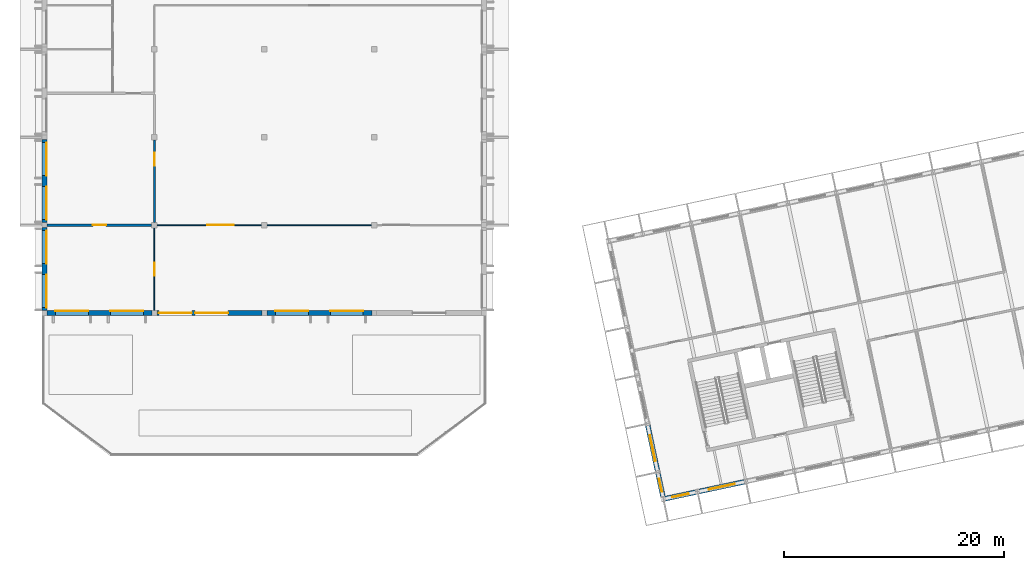
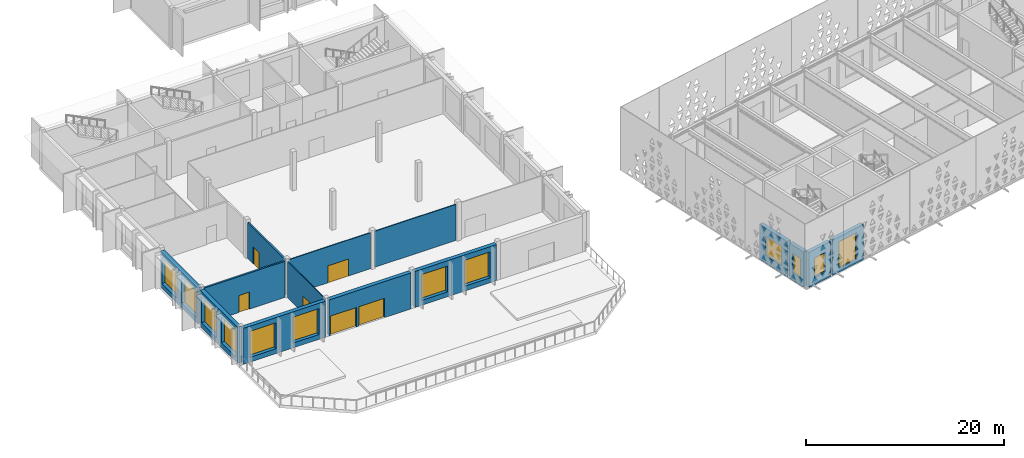
# One storey, part 113 of 196: 14 walls, 12 windows, 6 doors, 18 openings.
"""IFC4 building model written with IfcOpenShell, lengths in metres."""

from ifc_helpers import new_model, si_unit, direction, frame, frame_2d, origin, place, context, subcontext, project, spatial, rectangle, extrude, material, layer, layer_set, type_object, element, fill, save


model = new_model("IFC4")

# Units and contexts
model_context = context("Model", 3, precision=1e-05, world=origin(), true_north=direction((0.0, 1.0)))
body_context = subcontext(model_context, "Body", "Model", "MODEL_VIEW")
ifc_project = project(units=[si_unit("LENGTHUNIT", "METRE"), si_unit("AREAUNIT", "SQUARE_METRE"), si_unit("VOLUMEUNIT", "CUBIC_METRE"), si_unit("PLANEANGLEUNIT", "RADIAN"), si_unit("MASSUNIT", "GRAM", prefix="KILO")], contexts=[model_context])

# Site, building, storey
site_placement = place(None, origin())
site = spatial("IfcSite", under=ifc_project, at=site_placement, CompositionType="ELEMENT")
building_placement = place(site_placement, origin())
building = spatial("IfcBuilding", under=site, at=building_placement, Name="Okhra Congress Centre", CompositionType="ELEMENT")
storey_placement = place(building_placement, frame((0.0, 0.0, 12.0)))
storey = spatial("IfcBuildingStorey", under=building, at=storey_placement, Name="L02", CompositionType="ELEMENT", Elevation=12.0)

# Wall, openings, windows
ifc_material_1 = material(Name="Insulated metal panel on steel stud (mineral wool, vapour barrier)", Category="steel")
ifc_layer_1 = layer(ifc_material_1, 0.449951171875)
ifc_layer_set_1 = layer_set([ifc_layer_1], Name="Insulated wall 450")
wall_type_1 = type_object("IfcWallType", Name="Insulated wall 450", PredefinedType="SOLIDWALL", material=ifc_layer_set_1)
wall_1_placement = place(storey_placement, frame((6.22509765625, 44.0, 0.0), z_axis=(0.0, 0.0, 1.0), x_axis=(1.0, 0.0, 0.0)))
wall_1 = element("IfcWall", 1, at=wall_1_placement, inside=storey, type_object=wall_type_1, Name="RS.WALL.L02.1", PredefinedType="SOLIDWALL", context=body_context, shape_type="SweptSolid", body=[
    extrude(rectangle(XDim=9.5498046875, YDim=0.449951171875, at=frame_2d((4.77490234375, 0.0))), origin(), (0.0, 0.0, 1.0), 4.449951171875),
])
opening_1_placement = place(wall_1_placement, frame((0.77490234375, 0.0, 0.60009765625)))
opening_1 = element("IfcOpeningElement", 2, at=opening_1_placement, cuts=wall_1, Name="Opening WN18", PredefinedType="OPENING", context=body_context, shape_type="SweptSolid", body=[
    extrude(rectangle(XDim=3.0, YDim=3.199951171875, at=frame_2d((1.5, 1.60009765625))), frame((0.0, 0.23486328125, 0.0), z_axis=(0.0, -1.0, 0.0), x_axis=(1.0, 0.0, 0.0)), (0.0, 0.0, 1.0), 0.469970703125),
])
opening_2_placement = place(wall_1_placement, frame((5.77490234375, 0.0, 0.60009765625)))
opening_2 = element("IfcOpeningElement", 3, at=opening_2_placement, cuts=wall_1, Name="Opening WN18", PredefinedType="OPENING", context=body_context, shape_type="SweptSolid", body=[
    extrude(rectangle(XDim=3.0, YDim=3.199951171875, at=frame_2d((1.5, 1.60009765625))), frame((0.0, 0.23486328125, 0.0), z_axis=(0.0, -1.0, 0.0), x_axis=(1.0, 0.0, 0.0)), (0.0, 0.0, 1.0), 0.469970703125),
])
ifc_material_2 = material(Name="Thermally broken aluminium frame, triple glazing", Category="aluminium")
window_type_1 = type_object("IfcWindowType", Name="Fixed window 3000x3200", PartitioningType="SINGLE_PANEL", PredefinedType="WINDOW", material=ifc_material_2)
window_1_placement = place(opening_1_placement, origin())
window_1 = element("IfcWindow", 4, at=window_1_placement, inside=storey, type_object=window_type_1, Name="RS.WIN.L02.1", OverallHeight=3.199951171875, OverallWidth=3.0, PartitioningType="SINGLE_PANEL", PredefinedType="WINDOW", context=body_context, shape_type="SweptSolid", body=[
    extrude(rectangle(XDim=3.0, YDim=3.199951171875, at=frame_2d((1.5, 1.60009765625))), frame((0.0, 0.215087890625, 0.0), z_axis=(0.0, -1.0, 0.0), x_axis=(1.0, 0.0, 0.0)), (0.0, 0.0, 1.0), 0.06005859375),
])
fill(opening_1, window_1)
window_2_placement = place(opening_2_placement, origin())
window_2 = element("IfcWindow", 5, at=window_2_placement, inside=storey, type_object=window_type_1, Name="RS.WIN.L02.2", OverallHeight=3.199951171875, OverallWidth=3.0, PartitioningType="SINGLE_PANEL", PredefinedType="WINDOW", context=body_context, shape_type="SweptSolid", body=[
    extrude(rectangle(XDim=3.0, YDim=3.199951171875, at=frame_2d((1.5, 1.60009765625))), frame((0.0, 0.215087890625, 0.0), z_axis=(0.0, -1.0, 0.0), x_axis=(1.0, 0.0, 0.0)), (0.0, 0.0, 1.0), 0.06005859375),
])
fill(opening_2, window_2)

# Wall, openings, doors
wall_2_placement = place(storey_placement, frame((16.22509765625, 44.0, 0.0), z_axis=(0.0, 0.0, 1.0), x_axis=(1.0, 0.0, 0.0)))
wall_2 = element("IfcWall", 6, at=wall_2_placement, inside=storey, type_object=wall_type_1, Name="RS.WALL.L02.2", PredefinedType="SOLIDWALL", context=body_context, shape_type="SweptSolid", body=[
    extrude(rectangle(XDim=9.5498046875, YDim=0.449951171875, at=frame_2d((4.77490234375, 0.0))), origin(), (0.0, 0.0, 1.0), 4.449951171875),
])
opening_3_placement = place(wall_2_placement, frame((0.175048828125, 0.0, 0.0)))
opening_3 = element("IfcOpeningElement", 7, at=opening_3_placement, cuts=wall_2, Name="Opening L02-033", PredefinedType="OPENING", context=body_context, shape_type="SweptSolid", body=[
    extrude(rectangle(XDim=3.0, YDim=2.39990234375, at=frame_2d((1.5, 1.199951171875))), frame((0.0, 0.23486328125, 0.0), z_axis=(0.0, -1.0, 0.0), x_axis=(1.0, 0.0, 0.0)), (0.0, 0.0, 1.0), 0.469970703125),
])
opening_4_placement = place(wall_2_placement, frame((3.47509765625, 0.0, 0.0)))
opening_4 = element("IfcOpeningElement", 8, at=opening_4_placement, cuts=wall_2, Name="Opening L02-034", PredefinedType="OPENING", context=body_context, shape_type="SweptSolid", body=[
    extrude(rectangle(XDim=3.0, YDim=2.39990234375, at=frame_2d((1.5, 1.199951171875))), frame((0.0, 0.23486328125, 0.0), z_axis=(0.0, -1.0, 0.0), x_axis=(1.0, 0.0, 0.0)), (0.0, 0.0, 1.0), 0.469970703125),
])
ifc_material_3 = material(Name="Aluminium-framed toughened glass door leaves", Category="aluminium")
door_type_1 = type_object("IfcDoorType", Name="Aluminium glazed door pair 3000x2400", OperationType="NOTDEFINED", PredefinedType="DOOR", material=ifc_material_3)
door_1_placement = place(opening_3_placement, frame((3.0, 0.0, 0.0), z_axis=(0.0, 0.0, 1.0), x_axis=(-1.0, 0.0, 0.0)))
door_1 = element("IfcDoor", 9, at=door_1_placement, inside=storey, type_object=door_type_1, Name="Door L02-033", OperationType="DOUBLE_DOOR_SINGLE_SWING", OverallHeight=2.39990234375, OverallWidth=3.0, PredefinedType="DOOR", context=body_context, shape_type="SweptSolid", body=[
    extrude(rectangle(XDim=3.0, YDim=2.39990234375, at=frame_2d((1.5, 1.199951171875))), frame((0.0, 0.02490234375, 0.0), z_axis=(0.0, -1.0, 0.0), x_axis=(1.0, 0.0, 0.0)), (0.0, 0.0, 1.0), 0.050048828125),
])
fill(opening_3, door_1)
door_2_placement = place(opening_4_placement, frame((3.0, 0.0, 0.0), z_axis=(0.0, 0.0, 1.0), x_axis=(-1.0, 0.0, 0.0)))
door_2 = element("IfcDoor", 10, at=door_2_placement, inside=storey, type_object=door_type_1, Name="Door L02-034", OperationType="DOUBLE_DOOR_SINGLE_SWING", OverallHeight=2.39990234375, OverallWidth=3.0, PredefinedType="DOOR", context=body_context, shape_type="SweptSolid", body=[
    extrude(rectangle(XDim=3.0, YDim=2.39990234375, at=frame_2d((1.5, 1.199951171875))), frame((0.0, 0.02490234375, 0.0), z_axis=(0.0, -1.0, 0.0), x_axis=(1.0, 0.0, 0.0)), (0.0, 0.0, 1.0), 0.050048828125),
])
fill(opening_4, door_2)

# Wall, openings, windows
wall_3_placement = place(storey_placement, frame((26.22509765625, 44.0, 0.0), z_axis=(0.0, 0.0, 1.0), x_axis=(1.0, 0.0, 0.0)))
wall_3 = element("IfcWall", 11, at=wall_3_placement, inside=storey, type_object=wall_type_1, Name="RS.WALL.L02.3", PredefinedType="SOLIDWALL", context=body_context, shape_type="SweptSolid", body=[
    extrude(rectangle(XDim=9.5498046875, YDim=0.449951171875, at=frame_2d((4.77490234375, 0.0))), origin(), (0.0, 0.0, 1.0), 4.449951171875),
])
opening_5_placement = place(wall_3_placement, frame((0.77490234375, 0.0, 0.60009765625)))
opening_5 = element("IfcOpeningElement", 12, at=opening_5_placement, cuts=wall_3, Name="Opening WN18", PredefinedType="OPENING", context=body_context, shape_type="SweptSolid", body=[
    extrude(rectangle(XDim=3.0, YDim=3.199951171875, at=frame_2d((1.5, 1.60009765625))), frame((0.0, 0.23486328125, 0.0), z_axis=(0.0, -1.0, 0.0), x_axis=(1.0, 0.0, 0.0)), (0.0, 0.0, 1.0), 0.469970703125),
])
opening_6_placement = place(wall_3_placement, frame((5.77490234375, 0.0, 0.60009765625)))
opening_6 = element("IfcOpeningElement", 13, at=opening_6_placement, cuts=wall_3, Name="Opening WN18", PredefinedType="OPENING", context=body_context, shape_type="SweptSolid", body=[
    extrude(rectangle(XDim=3.0, YDim=3.199951171875, at=frame_2d((1.5, 1.60009765625))), frame((0.0, 0.23486328125, 0.0), z_axis=(0.0, -1.0, 0.0), x_axis=(1.0, 0.0, 0.0)), (0.0, 0.0, 1.0), 0.469970703125),
])
window_3_placement = place(opening_5_placement, origin())
window_3 = element("IfcWindow", 14, at=window_3_placement, inside=storey, type_object=window_type_1, Name="RS.WIN.L02.3", OverallHeight=3.199951171875, OverallWidth=3.0, PartitioningType="SINGLE_PANEL", PredefinedType="WINDOW", context=body_context, shape_type="SweptSolid", body=[
    extrude(rectangle(XDim=3.0, YDim=3.199951171875, at=frame_2d((1.5, 1.60009765625))), frame((0.0, 0.215087890625, 0.0), z_axis=(0.0, -1.0, 0.0), x_axis=(1.0, 0.0, 0.0)), (0.0, 0.0, 1.0), 0.06005859375),
])
fill(opening_5, window_3)
window_4_placement = place(opening_6_placement, origin())
window_4 = element("IfcWindow", 15, at=window_4_placement, inside=storey, type_object=window_type_1, Name="RS.WIN.L02.4", OverallHeight=3.199951171875, OverallWidth=3.0, PartitioningType="SINGLE_PANEL", PredefinedType="WINDOW", context=body_context, shape_type="SweptSolid", body=[
    extrude(rectangle(XDim=3.0, YDim=3.199951171875, at=frame_2d((1.5, 1.60009765625))), frame((0.0, 0.215087890625, 0.0), z_axis=(0.0, -1.0, 0.0), x_axis=(1.0, 0.0, 0.0)), (0.0, 0.0, 1.0), 0.06005859375),
])
fill(opening_6, window_4)

wall_4_placement = place(storey_placement, frame((6.0, 51.77490234375, 0.0), z_axis=(0.0, 0.0, 1.0), x_axis=(0.0, -1.0, 0.0)))
wall_4 = element("IfcWall", 16, at=wall_4_placement, inside=storey, type_object=wall_type_1, Name="RS.WALL.L02.26", PredefinedType="SOLIDWALL", context=body_context, shape_type="SweptSolid", body=[
    extrude(rectangle(XDim=7.5498046875, YDim=0.449951171875, at=frame_2d((3.77490234375, 0.0))), origin(), (0.0, 0.0, 1.0), 4.449951171875),
])
opening_7_placement = place(wall_4_placement, frame((4.27490234375, 0.0, 0.60009765625)))
opening_7 = element("IfcOpeningElement", 17, at=opening_7_placement, cuts=wall_4, Name="Opening WN18", PredefinedType="OPENING", context=body_context, shape_type="SweptSolid", body=[
    extrude(rectangle(XDim=3.0, YDim=3.199951171875, at=frame_2d((1.5, 1.60009765625))), frame((0.0, 0.23486328125, 0.0), z_axis=(0.0, -1.0, 0.0), x_axis=(1.0, 0.0, 0.0)), (0.0, 0.0, 1.0), 0.469970703125),
])
opening_8_placement = place(wall_4_placement, frame((0.27490234375, 0.0, 0.60009765625)))
opening_8 = element("IfcOpeningElement", 18, at=opening_8_placement, cuts=wall_4, Name="Opening WN18", PredefinedType="OPENING", context=body_context, shape_type="SweptSolid", body=[
    extrude(rectangle(XDim=3.0, YDim=3.199951171875, at=frame_2d((1.5, 1.60009765625))), frame((0.0, 0.23486328125, 0.0), z_axis=(0.0, -1.0, 0.0), x_axis=(1.0, 0.0, 0.0)), (0.0, 0.0, 1.0), 0.469970703125),
])
window_5_placement = place(opening_7_placement, origin())
window_5 = element("IfcWindow", 19, at=window_5_placement, inside=storey, type_object=window_type_1, Name="RS.WIN.L02.7", OverallHeight=3.199951171875, OverallWidth=3.0, PartitioningType="SINGLE_PANEL", PredefinedType="WINDOW", context=body_context, shape_type="SweptSolid", body=[
    extrude(rectangle(XDim=3.0, YDim=3.199951171875, at=frame_2d((1.5, 1.60009765625))), frame((0.0, 0.215087890625, 0.0), z_axis=(0.0, -1.0, 0.0), x_axis=(1.0, 0.0, 0.0)), (0.0, 0.0, 1.0), 0.06005859375),
])
fill(opening_7, window_5)
window_6_placement = place(opening_8_placement, origin())
window_6 = element("IfcWindow", 20, at=window_6_placement, inside=storey, type_object=window_type_1, Name="RS.WIN.L02.8", OverallHeight=3.199951171875, OverallWidth=3.0, PartitioningType="SINGLE_PANEL", PredefinedType="WINDOW", context=body_context, shape_type="SweptSolid", body=[
    extrude(rectangle(XDim=3.0, YDim=3.199951171875, at=frame_2d((1.5, 1.60009765625))), frame((0.0, 0.215087890625, 0.0), z_axis=(0.0, -1.0, 0.0), x_axis=(1.0, 0.0, 0.0)), (0.0, 0.0, 1.0), 0.06005859375),
])
fill(opening_8, window_6)

# Wall, opening, window
wall_5_placement = place(storey_placement, frame((62.453857421875, 27.115966796875, 0.0), z_axis=(0.0, 0.0, 1.0), x_axis=(0.978151512004, 0.207893288886, 0.0)))
wall_5 = element("IfcWall", 21, at=wall_5_placement, inside=storey, type_object=wall_type_1, Name="External wall S1 L02", PredefinedType="SOLIDWALL", context=body_context, shape_type="SweptSolid", body=[
    extrude(rectangle(XDim=2.874755859375, YDim=0.449951171875, at=frame_2d((1.4375, 0.0))), origin(), (0.0, 0.0, 1.0), 4.35009765625),
])
opening_9_placement = place(wall_5_placement, frame((0.6875, 0.0, 0.89990234375)))
opening_9 = element("IfcOpeningElement", 22, at=opening_9_placement, cuts=wall_5, Name="Opening WN20", PredefinedType="OPENING", context=body_context, shape_type="SweptSolid", body=[
    extrude(rectangle(XDim=1.5, YDim=2.39990234375, at=frame_2d((0.75, 1.199951171875))), frame((0.0, 0.23486328125, 0.0), z_axis=(0.0, -1.0, 0.0), x_axis=(1.0, 0.0, 0.0)), (0.0, 0.0, 1.0), 0.469970703125),
])
window_type_2 = type_object("IfcWindowType", Name="Fixed window 1500x2400", PartitioningType="SINGLE_PANEL", PredefinedType="WINDOW", material=ifc_material_2)
window_7_placement = place(opening_9_placement, origin())
window_7 = element("IfcWindow", 23, at=window_7_placement, inside=storey, type_object=window_type_2, Name="BX.WIN.L02.1", OverallHeight=2.39990234375, OverallWidth=1.5, PartitioningType="SINGLE_PANEL", PredefinedType="WINDOW", context=body_context, shape_type="SweptSolid", body=[
    extrude(rectangle(XDim=1.5, YDim=2.39990234375, at=frame_2d((0.75, 1.199951171875))), frame((0.0, 0.030029296875, 0.0), z_axis=(0.0, -1.0, 0.0), x_axis=(1.0, 0.0, 0.0)), (0.0, 0.0, 1.0), 0.06005859375),
])
fill(opening_9, window_7)

wall_6_placement = place(storey_placement, frame((65.559326171875, 27.776123046875, 0.0), z_axis=(0.0, 0.0, 1.0), x_axis=(0.978155748334, 0.207873355681, 0.0)))
wall_6 = element("IfcWall", 24, at=wall_6_placement, inside=storey, type_object=wall_type_1, Name="External wall S2 L02", PredefinedType="SOLIDWALL", context=body_context, shape_type="SweptSolid", body=[
    extrude(rectangle(XDim=4.199951171875, YDim=0.449951171875, at=frame_2d((2.10009765625, 0.0))), origin(), (0.0, 0.0, 1.0), 4.35009765625),
])
opening_10_placement = place(wall_6_placement, frame((0.89990234375, 0.0, 0.449951171875)))
opening_10 = element("IfcOpeningElement", 25, at=opening_10_placement, cuts=wall_6, Name="Opening WN21", PredefinedType="OPENING", context=body_context, shape_type="SweptSolid", body=[
    extrude(rectangle(XDim=2.39990234375, YDim=3.300048828125, at=frame_2d((1.199951171875, 1.64990234375))), frame((0.0, 0.23486328125, 0.0), z_axis=(0.0, -1.0, 0.0), x_axis=(1.0, 0.0, 0.0)), (0.0, 0.0, 1.0), 0.469970703125),
])
window_type_3 = type_object("IfcWindowType", Name="Two-light window 2400x3300", PartitioningType="DOUBLE_PANEL_VERTICAL", PredefinedType="WINDOW", material=ifc_material_2)
window_8_placement = place(opening_10_placement, origin())
window_8 = element("IfcWindow", 26, at=window_8_placement, inside=storey, type_object=window_type_3, Name="BX.WIN.L02.2", OverallHeight=3.300048828125, OverallWidth=2.39990234375, PartitioningType="DOUBLE_PANEL_VERTICAL", PredefinedType="WINDOW", context=body_context, shape_type="SweptSolid", body=[
    extrude(rectangle(XDim=2.39990234375, YDim=3.300048828125, at=frame_2d((1.199951171875, 1.64990234375))), frame((0.0, 0.030029296875, 0.0), z_axis=(0.0, -1.0, 0.0), x_axis=(1.0, 0.0, 0.0)), (0.0, 0.0, 1.0), 0.06005859375),
])
fill(opening_10, window_8)

wall_7_placement = place(storey_placement, frame((62.26123046875, 27.2998046875, 0.0), z_axis=(0.0, 0.0, 1.0), x_axis=(-0.207834022607, 0.978164106399, 0.0)))
wall_7 = element("IfcWall", 27, at=wall_7_placement, inside=storey, type_object=wall_type_1, Name="External wall W1 L02", PredefinedType="SOLIDWALL", context=body_context, shape_type="SweptSolid", body=[
    extrude(rectangle(XDim=2.125, YDim=0.449951171875, at=frame_2d((1.0625, 0.0))), origin(), (0.0, 0.0, 1.0), 4.35009765625),
])
opening_11_placement = place(wall_7_placement, frame((0.46240234375, 0.0, 0.89990234375)))
opening_11 = element("IfcOpeningElement", 28, at=opening_11_placement, cuts=wall_7, Name="Opening WN25", PredefinedType="OPENING", context=body_context, shape_type="SweptSolid", body=[
    extrude(rectangle(XDim=1.199951171875, YDim=2.39990234375, at=frame_2d((0.60009765625, 1.199951171875))), frame((0.0, 0.23486328125, 0.0), z_axis=(0.0, -1.0, 0.0), x_axis=(1.0, 0.0, 0.0)), (0.0, 0.0, 1.0), 0.469970703125),
])
window_type_4 = type_object("IfcWindowType", Name="Fixed window 1200x2400", PartitioningType="SINGLE_PANEL", PredefinedType="WINDOW", material=ifc_material_2)
window_9_placement = place(opening_11_placement, origin())
window_9 = element("IfcWindow", 29, at=window_9_placement, inside=storey, type_object=window_type_4, Name="BX.WIN.L02.64", OverallHeight=2.39990234375, OverallWidth=1.199951171875, PartitioningType="SINGLE_PANEL", PredefinedType="WINDOW", context=body_context, shape_type="SweptSolid", body=[
    extrude(rectangle(XDim=1.199951171875, YDim=2.39990234375, at=frame_2d((0.60009765625, 1.199951171875))), frame((0.0, 0.030029296875, 0.0), z_axis=(0.0, -1.0, 0.0), x_axis=(1.0, 0.0, 0.0)), (0.0, 0.0, 1.0), 0.06005859375),
])
fill(opening_11, window_9)

wall_8_placement = place(storey_placement, frame((61.757080078125, 29.671875, 0.0), z_axis=(0.0, 0.0, 1.0), x_axis=(-0.207928972925, 0.978143927149, 0.0)))
wall_8 = element("IfcWall", 30, at=wall_8_placement, inside=storey, type_object=wall_type_1, Name="External wall W2 L02", PredefinedType="SOLIDWALL", context=body_context, shape_type="SweptSolid", body=[
    extrude(rectangle(XDim=4.199951171875, YDim=0.449951171875, at=frame_2d((2.10009765625, 0.0))), origin(), (0.0, 0.0, 1.0), 4.35009765625),
])
opening_12_placement = place(wall_8_placement, frame((0.89990234375, 0.0, 0.89990234375)))
opening_12 = element("IfcOpeningElement", 31, at=opening_12_placement, cuts=wall_8, Name="Opening WN22", PredefinedType="OPENING", context=body_context, shape_type="SweptSolid", body=[
    extrude(rectangle(XDim=2.39990234375, YDim=2.39990234375, at=frame_2d((1.199951171875, 1.199951171875))), frame((0.0, 0.23486328125, 0.0), z_axis=(0.0, -1.0, 0.0), x_axis=(1.0, 0.0, 0.0)), (0.0, 0.0, 1.0), 0.469970703125),
])
window_type_5 = type_object("IfcWindowType", Name="Fixed window 2400x2400", PartitioningType="SINGLE_PANEL", PredefinedType="WINDOW", material=ifc_material_2)
window_10_placement = place(opening_12_placement, origin())
window_10 = element("IfcWindow", 32, at=window_10_placement, inside=storey, type_object=window_type_5, Name="BX.WIN.L02.65", OverallHeight=2.39990234375, OverallWidth=2.39990234375, PartitioningType="SINGLE_PANEL", PredefinedType="WINDOW", context=body_context, shape_type="SweptSolid", body=[
    extrude(rectangle(XDim=2.39990234375, YDim=2.39990234375, at=frame_2d((1.199951171875, 1.199951171875))), frame((0.0, 0.030029296875, 0.0), z_axis=(0.0, -1.0, 0.0), x_axis=(1.0, 0.0, 0.0)), (0.0, 0.0, 1.0), 0.06005859375),
])
fill(opening_12, window_10)

# Wall, openings, windows
ifc_layer_2 = layer(ifc_material_1, 0.449951171875)
ifc_layer_set_2 = layer_set([ifc_layer_2], Name="Insulated wall 450 EI 45")
wall_type_2 = type_object("IfcWallType", Name="Insulated wall 450 EI 45", PredefinedType="SOLIDWALL", material=ifc_layer_set_2)
wall_9_placement = place(storey_placement, frame((6.0, 59.77490234375, 0.0), z_axis=(0.0, 0.0, 1.0), x_axis=(0.0, -1.0, 0.0)))
wall_9 = element("IfcWall", 33, at=wall_9_placement, inside=storey, type_object=wall_type_2, Name="RS.WALL.L02.27", PredefinedType="SOLIDWALL", context=body_context, shape_type="SweptSolid", body=[
    extrude(rectangle(XDim=7.5498046875, YDim=0.449951171875, at=frame_2d((3.77490234375, 0.0))), origin(), (0.0, 0.0, 1.0), 4.449951171875),
])
opening_13_placement = place(wall_9_placement, frame((4.27490234375, 0.0, 0.60009765625)))
opening_13 = element("IfcOpeningElement", 34, at=opening_13_placement, cuts=wall_9, Name="Opening WN18", PredefinedType="OPENING", context=body_context, shape_type="SweptSolid", body=[
    extrude(rectangle(XDim=3.0, YDim=3.199951171875, at=frame_2d((1.5, 1.60009765625))), frame((0.0, 0.23486328125, 0.0), z_axis=(0.0, -1.0, 0.0), x_axis=(1.0, 0.0, 0.0)), (0.0, 0.0, 1.0), 0.469970703125),
])
opening_14_placement = place(wall_9_placement, frame((0.27490234375, 0.0, 0.60009765625)))
opening_14 = element("IfcOpeningElement", 35, at=opening_14_placement, cuts=wall_9, Name="Opening WN18", PredefinedType="OPENING", context=body_context, shape_type="SweptSolid", body=[
    extrude(rectangle(XDim=3.0, YDim=3.199951171875, at=frame_2d((1.5, 1.60009765625))), frame((0.0, 0.23486328125, 0.0), z_axis=(0.0, -1.0, 0.0), x_axis=(1.0, 0.0, 0.0)), (0.0, 0.0, 1.0), 0.469970703125),
])
window_11_placement = place(opening_13_placement, origin())
window_11 = element("IfcWindow", 36, at=window_11_placement, inside=storey, type_object=window_type_1, Name="RS.WIN.L02.9", OverallHeight=3.199951171875, OverallWidth=3.0, PartitioningType="SINGLE_PANEL", PredefinedType="WINDOW", context=body_context, shape_type="SweptSolid", body=[
    extrude(rectangle(XDim=3.0, YDim=3.199951171875, at=frame_2d((1.5, 1.60009765625))), frame((0.0, 0.215087890625, 0.0), z_axis=(0.0, -1.0, 0.0), x_axis=(1.0, 0.0, 0.0)), (0.0, 0.0, 1.0), 0.06005859375),
])
fill(opening_13, window_11)
window_12_placement = place(opening_14_placement, origin())
window_12 = element("IfcWindow", 37, at=window_12_placement, inside=storey, type_object=window_type_1, Name="RS.WIN.L02.10", OverallHeight=3.199951171875, OverallWidth=3.0, PartitioningType="SINGLE_PANEL", PredefinedType="WINDOW", context=body_context, shape_type="SweptSolid", body=[
    extrude(rectangle(XDim=3.0, YDim=3.199951171875, at=frame_2d((1.5, 1.60009765625))), frame((0.0, 0.215087890625, 0.0), z_axis=(0.0, -1.0, 0.0), x_axis=(1.0, 0.0, 0.0)), (0.0, 0.0, 1.0), 0.06005859375),
])
fill(opening_14, window_12)

# Wall, opening, door
ifc_material_4 = material(Name="Masonry blockwork (aerated concrete D500)", Category="masonry")
ifc_layer_3 = layer(ifc_material_4, 0.199951171875)
ifc_layer_set_3 = layer_set([ifc_layer_3], Name="Masonry block wall 200 EI 45")
wall_type_3 = type_object("IfcWallType", Name="Masonry block wall 200 EI 45", PredefinedType="SOLIDWALL", material=ifc_layer_set_3)
wall_10_placement = place(storey_placement, frame((6.22509765625, 52.0, 0.0), z_axis=(0.0, 0.0, 1.0), x_axis=(1.0, 0.0, 0.0)))
wall_10 = element("IfcWall", 38, at=wall_10_placement, inside=storey, type_object=wall_type_3, Name="RS.WALL.L02.5", PredefinedType="SOLIDWALL", context=body_context, shape_type="SweptSolid", body=[
    extrude(rectangle(XDim=9.52490234375, YDim=0.199951171875, at=frame_2d((4.762451171875, 0.0))), origin(), (0.0, 0.0, 1.0), 4.449951171875),
])
opening_15_placement = place(wall_10_placement, frame((4.175048828125, 0.0, 0.0)))
opening_15 = element("IfcOpeningElement", 39, at=opening_15_placement, cuts=wall_10, Name="Opening L02-025", PredefinedType="OPENING", context=body_context, shape_type="SweptSolid", body=[
    extrude(rectangle(XDim=1.199951171875, YDim=2.10009765625, at=frame_2d((0.60009765625, 1.050048828125))), frame((0.0, 0.10986328125, 0.0), z_axis=(0.0, -1.0, 0.0), x_axis=(1.0, 0.0, 0.0)), (0.0, 0.0, 1.0), 0.219970703125),
])
ifc_material_5 = material(Name="Steel fire door leaf in steel frame, intumescent seals", Category="steel")
door_type_2 = type_object("IfcDoorType", Name="Steel fire door 1200x2100 EI 30", OperationType="NOTDEFINED", PredefinedType="DOOR", material=ifc_material_5)
door_3_placement = place(opening_15_placement, frame((1.199951171875, 0.0, 0.0), z_axis=(0.0, 0.0, 1.0), x_axis=(-1.0, 0.0, 0.0)))
door_3 = element("IfcDoor", 40, at=door_3_placement, inside=storey, type_object=door_type_2, Name="Door L02-025", OperationType="SINGLE_SWING_LEFT", OverallHeight=2.10009765625, OverallWidth=1.199951171875, PredefinedType="DOOR", context=body_context, shape_type="SweptSolid", body=[
    extrude(rectangle(XDim=1.199951171875, YDim=2.10009765625, at=frame_2d((0.60009765625, 1.050048828125))), frame((0.0, 0.02490234375, 0.0), z_axis=(0.0, -1.0, 0.0), x_axis=(1.0, 0.0, 0.0)), (0.0, 0.0, 1.0), 0.050048828125),
])
fill(opening_15, door_3)

wall_11_placement = place(storey_placement, frame((16.0, 52.25, 0.0), z_axis=(0.0, 0.0, 1.0), x_axis=(0.0, 1.0, 0.0)))
wall_11 = element("IfcWall", 41, at=wall_11_placement, inside=storey, type_object=wall_type_3, Name="RS.WALL.L02.33", PredefinedType="SOLIDWALL", context=body_context, shape_type="SweptSolid", body=[
    extrude(rectangle(XDim=7.5, YDim=0.199951171875, at=frame_2d((3.75, 0.0))), origin(), (0.0, 0.0, 1.0), 4.449951171875),
])
opening_16_placement = place(wall_11_placement, frame((5.14990234375, 0.0, 0.0)))
opening_16 = element("IfcOpeningElement", 42, at=opening_16_placement, cuts=wall_11, Name="Opening L02-024", PredefinedType="OPENING", context=body_context, shape_type="SweptSolid", body=[
    extrude(rectangle(XDim=1.199951171875, YDim=2.10009765625, at=frame_2d((0.60009765625, 1.050048828125))), frame((0.0, 0.10986328125, 0.0), z_axis=(0.0, -1.0, 0.0), x_axis=(1.0, 0.0, 0.0)), (0.0, 0.0, 1.0), 0.219970703125),
])
door_4_placement = place(opening_16_placement, frame((1.199951171875, 0.0, 0.0), z_axis=(0.0, 0.0, 1.0), x_axis=(-1.0, 0.0, 0.0)))
door_4 = element("IfcDoor", 43, at=door_4_placement, inside=storey, type_object=door_type_2, Name="Door L02-024", OperationType="SINGLE_SWING_RIGHT", OverallHeight=2.10009765625, OverallWidth=1.199951171875, PredefinedType="DOOR", context=body_context, shape_type="SweptSolid", body=[
    extrude(rectangle(XDim=1.199951171875, YDim=2.10009765625, at=frame_2d((0.60009765625, 1.050048828125))), frame((0.0, 0.02490234375, 0.0), z_axis=(0.0, -1.0, 0.0), x_axis=(1.0, 0.0, 0.0)), (0.0, 0.0, 1.0), 0.050048828125),
])
fill(opening_16, door_4)

ifc_material_6 = material(Name="Gypsum board on steel studs", Category="steel")
ifc_layer_4 = layer(ifc_material_6, 0.10009765625)
ifc_layer_set_4 = layer_set([ifc_layer_4], Name="Partition 100 EI 15")
wall_type_4 = type_object("IfcWallType", Name="Partition 100 EI 15", PredefinedType="PARTITIONING", material=ifc_layer_set_4)
wall_12_placement = place(storey_placement, frame((16.25, 52.0, 0.0), z_axis=(0.0, 0.0, 1.0), x_axis=(1.0, 0.0, 0.0)))
wall_12 = element("IfcWall", 44, at=wall_12_placement, inside=storey, type_object=wall_type_4, Name="RS.WALL.L02.6", PredefinedType="PARTITIONING", context=body_context, shape_type="SweptSolid", body=[
    extrude(rectangle(XDim=9.5, YDim=0.10009765625, at=frame_2d((4.75, 0.0))), origin(), (0.0, 0.0, 1.0), 4.449951171875),
])
opening_17_placement = place(wall_12_placement, frame((4.550048828125, 0.0, 0.0)))
opening_17 = element("IfcOpeningElement", 45, at=opening_17_placement, cuts=wall_12, Name="Opening L02-028", PredefinedType="OPENING", context=body_context, shape_type="SweptSolid", body=[
    extrude(rectangle(XDim=2.39990234375, YDim=2.10009765625, at=frame_2d((1.199951171875, 1.050048828125))), frame((0.0, 0.06005859375, 0.0), z_axis=(0.0, -1.0, 0.0), x_axis=(1.0, 0.0, 0.0)), (0.0, 0.0, 1.0), 0.1201171875),
])
door_type_3 = type_object("IfcDoorType", Name="Aluminium glazed door pair 2400x2100", OperationType="NOTDEFINED", PredefinedType="DOOR", material=ifc_material_3)
door_5_placement = place(opening_17_placement, origin())
door_5 = element("IfcDoor", 46, at=door_5_placement, inside=storey, type_object=door_type_3, Name="Door L02-028", OperationType="DOUBLE_DOOR_SINGLE_SWING", OverallHeight=2.10009765625, OverallWidth=2.39990234375, PredefinedType="DOOR", context=body_context, shape_type="SweptSolid", body=[
    extrude(rectangle(XDim=2.39990234375, YDim=2.10009765625, at=frame_2d((1.199951171875, 1.050048828125))), frame((0.0, 0.02490234375, 0.0), z_axis=(0.0, -1.0, 0.0), x_axis=(1.0, 0.0, 0.0)), (0.0, 0.0, 1.0), 0.050048828125),
])
fill(opening_17, door_5)

# Wall
wall_13_placement = place(storey_placement, frame((26.25, 52.0, 0.0), z_axis=(0.0, 0.0, 1.0), x_axis=(1.0, 0.0, 0.0)))
element("IfcWall", 47, at=wall_13_placement, inside=storey, type_object=wall_type_4, Name="RS.WALL.L02.7", PredefinedType="PARTITIONING", context=body_context, shape_type="SweptSolid", body=[
    extrude(rectangle(XDim=9.5, YDim=0.10009765625, at=frame_2d((4.75, 0.0))), origin(), (0.0, 0.0, 1.0), 4.449951171875),
])

# Wall, opening, door
wall_14_placement = place(storey_placement, frame((16.0, 44.22509765625, 0.0), z_axis=(0.0, 0.0, 1.0), x_axis=(0.0, 1.0, 0.0)))
wall_14 = element("IfcWall", 48, at=wall_14_placement, inside=storey, type_object=wall_type_4, Name="RS.WALL.L02.32", PredefinedType="PARTITIONING", context=body_context, shape_type="SweptSolid", body=[
    extrude(rectangle(XDim=7.52490234375, YDim=0.10009765625, at=frame_2d((3.762451171875, 0.0))), origin(), (0.0, 0.0, 1.0), 4.449951171875),
])
opening_18_placement = place(wall_14_placement, frame((3.175048828125, 0.0, 0.0)))
opening_18 = element("IfcOpeningElement", 49, at=opening_18_placement, cuts=wall_14, Name="Opening L02-026", PredefinedType="OPENING", context=body_context, shape_type="SweptSolid", body=[
    extrude(rectangle(XDim=1.199951171875, YDim=2.10009765625, at=frame_2d((0.60009765625, 1.050048828125))), frame((0.0, 0.06005859375, 0.0), z_axis=(0.0, -1.0, 0.0), x_axis=(1.0, 0.0, 0.0)), (0.0, 0.0, 1.0), 0.1201171875),
])
ifc_material_7 = material(Name="Timber door leaf in steel frame", Category="steel")
door_type_4 = type_object("IfcDoorType", Name="Single swing door 1200x2100", OperationType="NOTDEFINED", PredefinedType="DOOR", material=ifc_material_7)
door_6_placement = place(opening_18_placement, frame((1.199951171875, 0.0, 0.0), z_axis=(0.0, 0.0, 1.0), x_axis=(-1.0, 0.0, 0.0)))
door_6 = element("IfcDoor", 50, at=door_6_placement, inside=storey, type_object=door_type_4, Name="Door L02-026", OperationType="SINGLE_SWING_RIGHT", OverallHeight=2.10009765625, OverallWidth=1.199951171875, PredefinedType="DOOR", context=body_context, shape_type="SweptSolid", body=[
    extrude(rectangle(XDim=1.199951171875, YDim=2.10009765625, at=frame_2d((0.60009765625, 1.050048828125))), frame((0.0, 0.02490234375, 0.0), z_axis=(0.0, -1.0, 0.0), x_axis=(1.0, 0.0, 0.0)), (0.0, 0.0, 1.0), 0.050048828125),
])
fill(opening_18, door_6)

save(model, "model.ifc")
